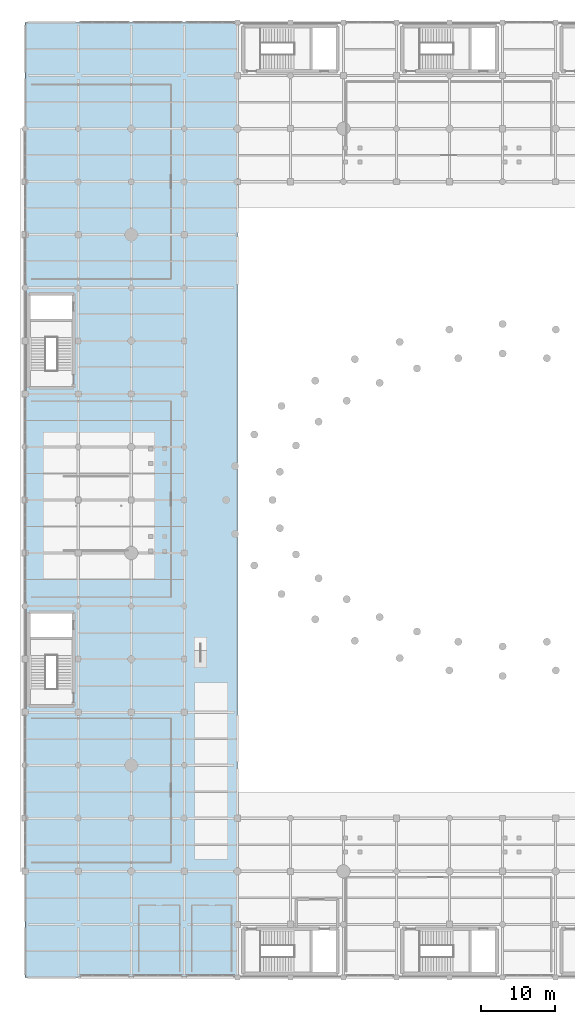
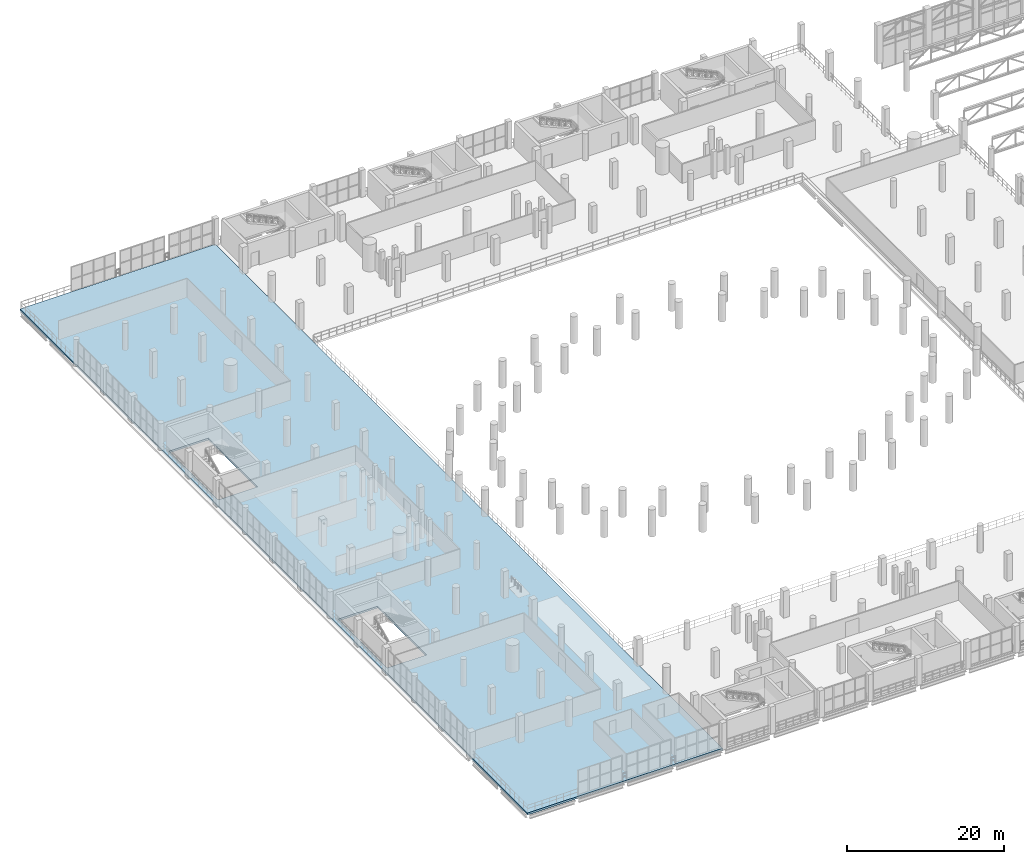
# One storey, part 122 of 153: 1 slab.
"""IFC4 building model written with IfcOpenShell, lengths in metres."""

from ifc_helpers import new_model, si_unit, direction, frame, origin, place, context, subcontext, project, spatial, polyline, outline, extrude, material, layer, layer_set, type_object, element, save


model = new_model("IFC4")

# Units and contexts
model_context = context("Model", 3, precision=1e-05, world=origin(), true_north=direction((0.0, 1.0)))
body_context = subcontext(model_context, "Body", "Model", "MODEL_VIEW")
ifc_project = project(units=[si_unit("LENGTHUNIT", "METRE"), si_unit("AREAUNIT", "SQUARE_METRE"), si_unit("VOLUMEUNIT", "CUBIC_METRE"), si_unit("PLANEANGLEUNIT", "RADIAN"), si_unit("MASSUNIT", "GRAM", prefix="KILO")], contexts=[model_context])

# Site, building, storey
site_placement = place(None, origin())
site = spatial("IfcSite", under=ifc_project, at=site_placement, CompositionType="ELEMENT")
building_placement = place(site_placement, origin())
building = spatial("IfcBuilding", under=site, at=building_placement, Name="Qandorah Velis Arena", CompositionType="ELEMENT")
storey_placement = place(building_placement, frame((0.0, 0.0, 5.39990234375)))
storey = spatial("IfcBuildingStorey", under=building, at=storey_placement, Name="L01", CompositionType="ELEMENT", Elevation=5.39990234375)

# Slab
ifc_material = material(Name="Concrete C40/50", Category="concrete")
ifc_layer = layer(ifc_material, 0.300048828125)
ifc_layer_set = layer_set([ifc_layer], Name="Concrete C40/50")
slab_type = type_object("IfcSlabType", Name="STR-SLB-FL300", PredefinedType="FLOOR", material=ifc_layer_set)
slab_placement = place(storey_placement, frame((0.0, 0.0, -0.2998046875)))
element("IfcSlab", 1, at=slab_placement, inside=storey, type_object=slab_type, Name="Structural floor slab L01_WEST_CLUB", PredefinedType="FLOOR", context=body_context, shape_type="SweptSolid", body=[
    extrude(outline(polyline([(28.800048828125, 0.0), (0.0, 0.0), (0.0, 129.60009765625), (28.800048828125, 129.60009765625), (28.800048828125, 0.0)]), holes=[polyline([(6.455078125, 36.945068359375), (6.455078125, 39.155029296875), (6.455078125, 49.455078125), (0.64501953125, 49.455078125), (0.64501953125, 39.155029296875), (0.64501953125, 36.945068359375), (6.455078125, 36.945068359375)]), polyline([(0.64501953125, 80.14501953125), (6.455078125, 80.14501953125), (6.455078125, 82.35498046875), (6.455078125, 92.655029296875), (0.64501953125, 92.655029296875), (0.64501953125, 82.35498046875), (0.64501953125, 80.14501953125)])]), origin(), (0.0, 0.0, 1.0), 0.2998046875),
])

save(model, "model.ifc")
